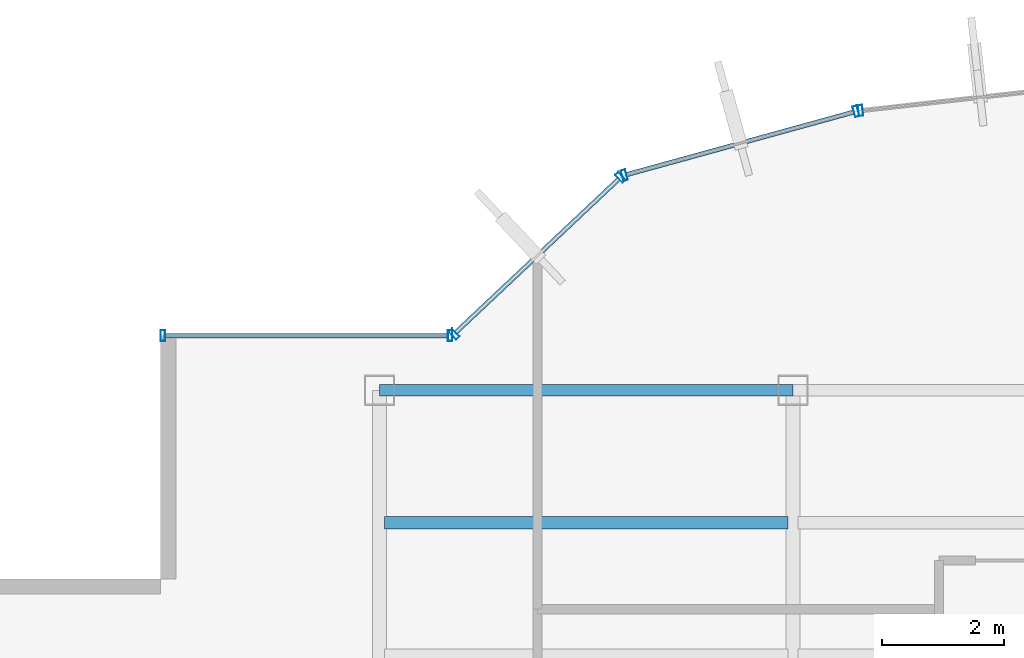
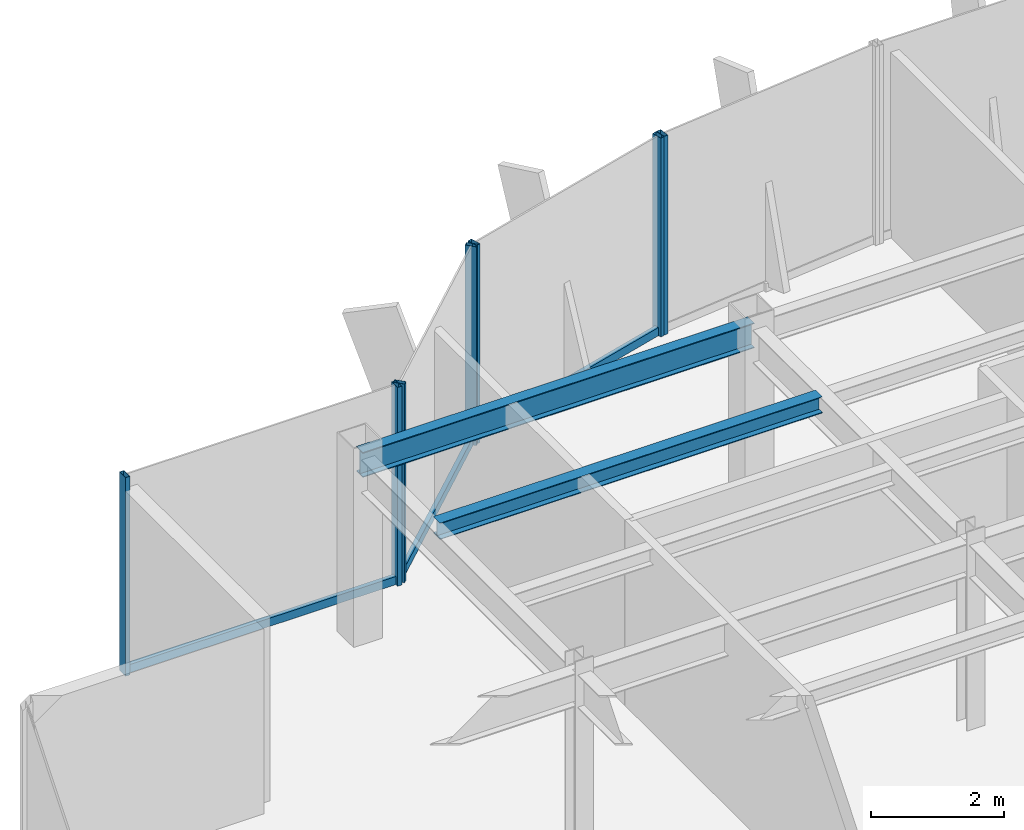
# One storey, part 12 of 22: 10 members, 2 beams, 4 elements without a shape of their own.
"""IFC4 building model written with IfcOpenShell, lengths in metres."""

from ifc_helpers import new_model, si_unit, derived_unit, direction, frame, origin, origin_2d, place, context, subcontext, project, spatial, hollow_rectangle, i_section, extrude, source, transform, mapped, material, material_profile, profile_set, type_object, element, aggregate, save


model = new_model("IFC4")

# Units and contexts
model_context = context("Model", 3, precision=1e-05, world=origin(), true_north=direction((0.0, 1.0)))
body_context = subcontext(model_context, "Body", "Model", "MODEL_VIEW")
ifc_project = project(units=[si_unit("LENGTHUNIT", "METRE"), si_unit("AREAUNIT", "SQUARE_METRE"), si_unit("VOLUMEUNIT", "CUBIC_METRE"), si_unit("PLANEANGLEUNIT", "RADIAN"), si_unit("MASSUNIT", "GRAM", prefix="KILO"), derived_unit("THERMALTRANSMITTANCEUNIT", [(si_unit("POWERUNIT", "WATT"), 1), (si_unit("LENGTHUNIT", "METRE"), -2), (si_unit("THERMODYNAMICTEMPERATUREUNIT", "KELVIN"), -1)])], contexts=[model_context])

# Site, building, storey
site_placement = place(None, origin())
site = spatial("IfcSite", under=ifc_project, at=site_placement, CompositionType="ELEMENT")
building_placement = place(site_placement, origin())
building = spatial("IfcBuilding", under=site, at=building_placement, Name="Skarnbrae Concourse Arena and Tower", CompositionType="ELEMENT")
storey_placement = place(building_placement, frame((0.0, 0.0, 247.85009765625)))
storey = spatial("IfcBuildingStorey", under=building, at=storey_placement, Name="L64", CompositionType="ELEMENT", Elevation=247.85009765625)

# Beams
ifc_material_1 = material(Name="Steel CSA G40.21 350W", Category="steel")
ifc_material_profile_1 = material_profile(ifc_material_1, i_section(OverallWidth=0.19091796875, OverallDepth=0.4599609375, WebThickness=0.010009765625, FlangeThickness=0.01611328125, at=origin_2d()), Name="W460X82")
ifc_profile_set_1 = profile_set([ifc_material_profile_1], Name="Steel CSA G40.21 350W")
beam_type_1 = type_object("IfcBeamType", Name="BM-SPAN-W460X82", PredefinedType="SPANDREL", material=ifc_profile_set_1)
shared_shape_1 = source(origin(), body_context, "Body", "SweptSolid", [
    extrude(i_section(OverallWidth=0.19091796875, OverallDepth=0.4599609375, WebThickness=0.010009765625, FlangeThickness=0.01611328125, at=origin_2d()), origin(), (0.0, 0.0, 1.0), 6.7998046875),
])
beam_1_placement = place(storey_placement, frame((7.60009765625, 34.39990234375, 3.169921875), z_axis=(1.0, 0.0, 0.0), x_axis=(0.0, 1.0, 0.0)))
element("IfcBeam", 1, at=beam_1_placement, inside=storey, type_object=beam_type_1, Name="L64 Perimeter spandrel Y34.4-1", PredefinedType="SPANDREL", context=body_context, shape_type="MappedRepresentation", body=[
    mapped(shared_shape_1, transform((0.0, 0.0, 0.0))),
])
ifc_material_profile_2 = material_profile(ifc_material_1, i_section(OverallWidth=0.202880859375, OverallDepth=0.302978515625, WebThickness=0.007568359375, FlangeThickness=0.01318359375, at=origin_2d()), Name="W310X60")
ifc_profile_set_2 = profile_set([ifc_material_profile_2], Name="Steel CSA G40.21 350W")
beam_type_2 = type_object("IfcBeamType", Name="BM-JOIST-W310X60", PredefinedType="JOIST", material=ifc_profile_set_2)
shared_shape_2 = source(origin(), body_context, "Body", "SweptSolid", [
    extrude(i_section(OverallWidth=0.202880859375, OverallDepth=0.302978515625, WebThickness=0.007568359375, FlangeThickness=0.01318359375, at=origin_2d()), origin(), (0.0, 0.0, 1.0), 6.64013671875),
])
beam_2_placement = place(storey_placement, frame((7.679931640625, 32.221923828125, 3.248291015625), z_axis=(1.0, 0.0, 0.0), x_axis=(0.0, 1.0, 0.0)))
element("IfcBeam", 2, at=beam_2_placement, inside=storey, type_object=beam_type_2, Name="L64 Secondary floor joist 3.2.1", PredefinedType="JOIST", context=body_context, shape_type="MappedRepresentation", body=[
    mapped(shared_shape_2, transform((0.0, 0.0, 0.0))),
])

# Curtain wall, member
ifc_material_2 = material(Name="Bronze anodised aluminium 6063-T6", Category="aluminium")
curtain_wall_type = type_object("IfcCurtainWallType", Name="CW-SYS-05-HIGHZONE", PredefinedType="USERDEFINED", material=ifc_material_2)
curtain_wall_1_placement = place(storey_placement, origin())
curtain_wall_1 = element("IfcCurtainWall", 3, at=curtain_wall_1_placement, inside=storey, type_object=curtain_wall_type, Name="L64 Unitised curtain wall CW-L64-E12", ObjectType="UNITISED CURTAIN WALL", PredefinedType="USERDEFINED")
ifc_material_profile_3 = material_profile(ifc_material_2, hollow_rectangle(XDim=0.074951171875, YDim=0.179931640625, WallThickness=0.00390625, at=origin_2d()), Name="ALU-MULL-75X180")
ifc_profile_set_3 = profile_set([ifc_material_profile_3], Name="Bronze anodised aluminium 6063-T6")
member_type_1 = type_object("IfcMemberType", Name="CWM-CW-05", PredefinedType="MULLION", material=ifc_profile_set_3)
shared_shape_3 = source(origin(), body_context, "Body", "SweptSolid", [
    extrude(hollow_rectangle(XDim=0.074951171875, YDim=0.179931640625, WallThickness=0.00390625, at=origin_2d()), origin(), (0.0, 0.0, 1.0), 3.64990234375),
])
member_1_placement = place(storey_placement, frame((15.511474609375, 39.001220703125, 0.0), z_axis=(0.0, 0.0, 1.0), x_axis=(-0.993768891873, -0.111460259941, 0.0)))
member_1 = element("IfcMember", 4, at=member_1_placement, type_object=member_type_1, Name="CW-L64-E12 Mullion 2", PredefinedType="MULLION", context=body_context, shape_type="MappedRepresentation", body=[
    mapped(shared_shape_3, transform((0.0, 0.0, 0.0))),
])
aggregate(curtain_wall_1, [member_1])

# Curtain wall, members
curtain_wall_2_placement = place(storey_placement, origin())
curtain_wall_2 = element("IfcCurtainWall", 5, at=curtain_wall_2_placement, inside=storey, type_object=curtain_wall_type, Name="L64 Unitised curtain wall CW-L64-E13", ObjectType="UNITISED CURTAIN WALL", PredefinedType="USERDEFINED")
member_2_placement = place(storey_placement, frame((15.43798828125, 38.987060546875, 0.0), z_axis=(0.0, 0.0, 1.0), x_axis=(-0.964057388766, -0.265694093207, 0.0)))
member_2 = element("IfcMember", 6, at=member_2_placement, type_object=member_type_1, Name="CW-L64-E13 Mullion 1", PredefinedType="MULLION", context=body_context, shape_type="MappedRepresentation", body=[
    mapped(shared_shape_3, transform((0.0, 0.0, 0.0))),
])
member_3_placement = place(storey_placement, frame((11.62646484375, 37.936767578125, 0.0), z_axis=(0.0, 0.0, 1.0), x_axis=(-0.964057388766, -0.265694093207, 0.0)))
member_3 = element("IfcMember", 7, at=member_3_placement, type_object=member_type_1, Name="CW-L64-E13 Mullion 2", PredefinedType="MULLION", context=body_context, shape_type="MappedRepresentation", body=[
    mapped(shared_shape_3, transform((0.0, 0.0, 0.0))),
])

curtain_wall_3_placement = place(storey_placement, origin())
curtain_wall_3 = element("IfcCurtainWall", 8, at=curtain_wall_3_placement, inside=storey, type_object=curtain_wall_type, Name="L64 Unitised curtain wall CW-L64-E14", ObjectType="UNITISED CURTAIN WALL", PredefinedType="USERDEFINED")
member_4_placement = place(storey_placement, frame((11.56298828125, 37.90087890625, 0.0), z_axis=(0.0, 0.0, 1.0), x_axis=(-0.728130555214, -0.685438468838, 0.0)))
member_4 = element("IfcMember", 9, at=member_4_placement, type_object=member_type_1, Name="CW-L64-E14 Mullion 1", PredefinedType="MULLION", context=body_context, shape_type="MappedRepresentation", body=[
    mapped(shared_shape_3, transform((0.0, 0.0, 0.0))),
])
member_5_placement = place(storey_placement, frame((8.827392578125, 35.32568359375, 0.0), z_axis=(0.0, 0.0, 1.0), x_axis=(-0.728130555214, -0.685438468838, 0.0)))
member_5 = element("IfcMember", 10, at=member_5_placement, type_object=member_type_1, Name="CW-L64-E14 Mullion 2", PredefinedType="MULLION", context=body_context, shape_type="MappedRepresentation", body=[
    mapped(shared_shape_3, transform((0.0, 0.0, 0.0))),
])

curtain_wall_4_placement = place(storey_placement, origin())
curtain_wall_4 = element("IfcCurtainWall", 11, at=curtain_wall_4_placement, inside=storey, type_object=curtain_wall_type, Name="L64 Unitised curtain wall CW-L64-E15", ObjectType="UNITISED CURTAIN WALL", PredefinedType="USERDEFINED")
member_6_placement = place(storey_placement, frame((8.762451171875, 35.300048828125, 0.0), z_axis=(0.0, 0.0, 1.0), x_axis=(-1.0, 0.0, 0.0)))
member_6 = element("IfcMember", 12, at=member_6_placement, type_object=member_type_1, Name="CW-L64-E15 Mullion 1", PredefinedType="MULLION", context=body_context, shape_type="MappedRepresentation", body=[
    mapped(shared_shape_3, transform((0.0, 0.0, 0.0))),
])
member_7_placement = place(storey_placement, frame((4.03759765625, 35.300048828125, 0.0), z_axis=(0.0, 0.0, 1.0), x_axis=(-1.0, 0.0, 0.0)))
member_7 = element("IfcMember", 13, at=member_7_placement, type_object=member_type_1, Name="CW-L64-E15 Mullion 2", PredefinedType="MULLION", context=body_context, shape_type="MappedRepresentation", body=[
    mapped(shared_shape_3, transform((0.0, 0.0, 0.0))),
])
ifc_material_profile_4 = material_profile(ifc_material_2, hollow_rectangle(XDim=0.074951171875, YDim=0.14990234375, WallThickness=0.00390625, at=origin_2d()), Name="ALU-TRAN-75X150")
ifc_profile_set_4 = profile_set([ifc_material_profile_4], Name="Bronze anodised aluminium 6063-T6")
member_type_2 = type_object("IfcMemberType", Name="CWT-CW-05", PredefinedType="USERDEFINED", material=ifc_profile_set_4)
shared_shape_4 = source(origin(), body_context, "Body", "SweptSolid", [
    extrude(hollow_rectangle(XDim=0.074951171875, YDim=0.14990234375, WallThickness=0.00390625, at=origin_2d()), origin(), (0.0, 0.0, 1.0), 4.650146484375),
])
member_8_placement = place(storey_placement, frame((8.72509765625, 35.300048828125, 0.074951171875), z_axis=(-1.0, 0.0, 0.0), x_axis=(0.0, -1.0, 0.0)))
member_8 = element("IfcMember", 14, at=member_8_placement, type_object=member_type_2, Name="CW-L64-E15 Transom 1", ObjectType="TRANSOM", PredefinedType="USERDEFINED", context=body_context, shape_type="MappedRepresentation", body=[
    mapped(shared_shape_4, transform((0.0, 0.0, 0.0))),
])
aggregate(curtain_wall_4, [member_6, member_7, member_8])

# Member
shared_shape_5 = source(origin(), body_context, "Body", "SweptSolid", [
    extrude(hollow_rectangle(XDim=0.074951171875, YDim=0.14990234375, WallThickness=0.00390625, at=origin_2d()), origin(), (0.0, 0.0, 1.0), 3.68212890625),
])
member_9_placement = place(storey_placement, frame((11.53564453125, 37.875244140625, 0.074951171875), z_axis=(-0.728133808476, -0.685435012933, 0.0), x_axis=(0.685435012933, -0.728133808476, 0.0)))
member_9 = element("IfcMember", 15, at=member_9_placement, type_object=member_type_2, Name="CW-L64-E14 Transom 1", ObjectType="TRANSOM", PredefinedType="USERDEFINED", context=body_context, shape_type="MappedRepresentation", body=[
    mapped(shared_shape_5, transform((0.0, 0.0, 0.0))),
])

aggregate(curtain_wall_3, [member_4, member_5, member_9])

shared_shape_6 = source(origin(), body_context, "Body", "SweptSolid", [
    extrude(hollow_rectangle(XDim=0.074951171875, YDim=0.14990234375, WallThickness=0.00390625, at=origin_2d()), origin(), (0.0, 0.0, 1.0), 3.878662109375),
])
member_10_placement = place(storey_placement, frame((15.40185546875, 38.977294921875, 0.074951171875), z_axis=(-0.964042677713, -0.265747465742, 0.0), x_axis=(0.265747465742, -0.964042677713, 0.0)))
member_10 = element("IfcMember", 16, at=member_10_placement, type_object=member_type_2, Name="CW-L64-E13 Transom 1", ObjectType="TRANSOM", PredefinedType="USERDEFINED", context=body_context, shape_type="MappedRepresentation", body=[
    mapped(shared_shape_6, transform((0.0, 0.0, 0.0))),
])

aggregate(curtain_wall_2, [member_2, member_3, member_10])

save(model, "model.ifc")
